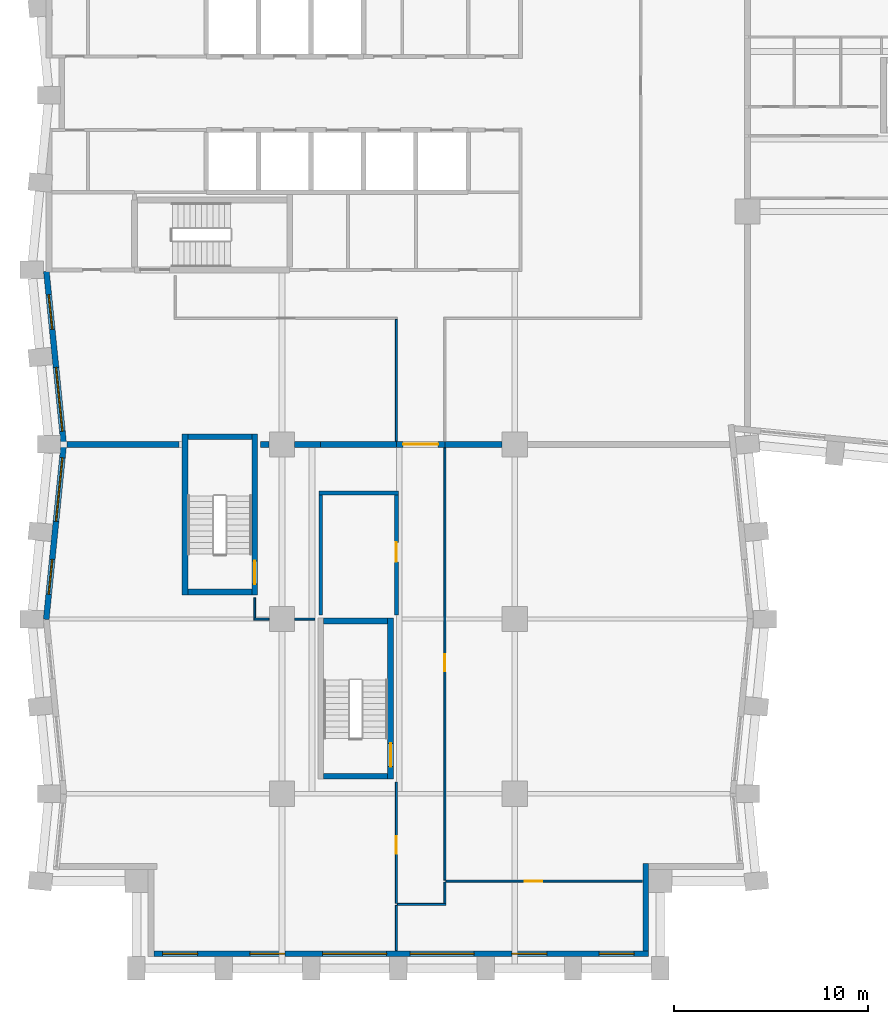
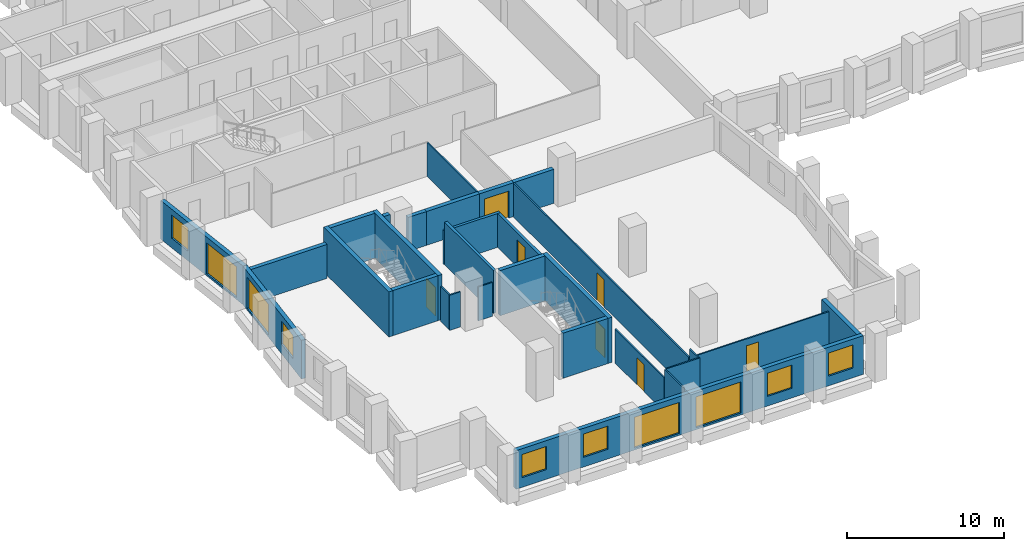
# One storey, part 3 of 11: 30 walls, 10 windows, 7 doors, 17 openings.
"""IFC4 building model written with IfcOpenShell, lengths in metres."""

from ifc_helpers import new_model, si_unit, direction, frame, frame_2d, origin, place, context, subcontext, project, spatial, rectangle, extrude, material, layer, layer_set, type_object, element, fill, save


model = new_model("IFC4")

# Units and contexts
model_context = context("Model", 3, precision=1e-05, world=origin(), true_north=direction((0.0, 1.0)))
body_context = subcontext(model_context, "Body", "Model", "MODEL_VIEW")
ifc_project = project(units=[si_unit("LENGTHUNIT", "METRE"), si_unit("AREAUNIT", "SQUARE_METRE"), si_unit("VOLUMEUNIT", "CUBIC_METRE"), si_unit("PLANEANGLEUNIT", "RADIAN"), si_unit("MASSUNIT", "GRAM", prefix="KILO")], contexts=[model_context])

# Site, building, storey
site_placement = place(None, origin())
site = spatial("IfcSite", under=ifc_project, at=site_placement, CompositionType="ELEMENT")
building_placement = place(site_placement, origin())
building = spatial("IfcBuilding", under=site, at=building_placement, Name="Brondeck Convention Tower", CompositionType="ELEMENT")
storey_placement = place(building_placement, frame((0.0, 0.0, 134.10009765625)))
storey = spatial("IfcBuildingStorey", under=building, at=storey_placement, Name="L32", CompositionType="ELEMENT", Elevation=134.10009765625)

# Walls
ifc_material_1 = material(Name="Concrete compartment wall C30/37", Category="concrete")
ifc_layer_1 = layer(ifc_material_1, 0.300048828125)
ifc_layer_set_1 = layer_set([ifc_layer_1], Name="Compartment wall 300")
wall_type_1 = type_object("IfcWallType", Name="Compartment wall 300", PredefinedType="PARTITIONING", material=ifc_layer_set_1)
wall_1_placement = place(storey_placement, frame((0.924560546875, 27.0, 0.0), z_axis=(0.0, 0.0, 1.0), x_axis=(1.0, 0.0, 0.0)))
element("IfcWall", 1, at=wall_1_placement, inside=storey, type_object=wall_type_1, Name="FLR-L32-W013", PredefinedType="PARTITIONING", context=body_context, shape_type="SweptSolid", body=[
    extrude(rectangle(XDim=5.775390625, YDim=0.300048828125, at=frame_2d((2.8876953125, 0.0))), origin(), (0.0, 0.0, 1.0), 2.6298828125),
])
wall_2_placement = place(storey_placement, frame((10.89990234375, 27.0, 0.0), z_axis=(0.0, 0.0, 1.0), x_axis=(1.0, 0.0, 0.0)))
element("IfcWall", 2, at=wall_2_placement, inside=storey, type_object=wall_type_1, Name="FLR-L32-W014", PredefinedType="PARTITIONING", context=body_context, shape_type="SweptSolid", body=[
    extrude(rectangle(XDim=0.445068359375, YDim=0.300048828125, at=frame_2d((0.22265625, 0.0))), origin(), (0.0, 0.0, 1.0), 3.329833984375),
])
wall_3_placement = place(storey_placement, frame((12.655029296875, 27.0, 0.0), z_axis=(0.0, 0.0, 1.0), x_axis=(1.0, 0.0, 0.0)))
element("IfcWall", 3, at=wall_3_placement, inside=storey, type_object=wall_type_1, Name="FLR-L32-W015", PredefinedType="PARTITIONING", context=body_context, shape_type="SweptSolid", body=[
    extrude(rectangle(XDim=1.344970703125, YDim=0.300048828125, at=frame_2d((0.67236328125, 0.0))), origin(), (0.0, 0.0, 1.0), 2.6298828125),
])
wall_4_placement = place(storey_placement, frame((14.0, 27.0, 0.0), z_axis=(0.0, 0.0, 1.0), x_axis=(1.0, 0.0, 0.0)))
element("IfcWall", 4, at=wall_4_placement, inside=storey, type_object=wall_type_1, Name="FLR-L32-W016", PredefinedType="PARTITIONING", context=body_context, shape_type="SweptSolid", body=[
    extrude(rectangle(XDim=3.89990234375, YDim=0.300048828125, at=frame_2d((1.949951171875, 0.0))), origin(), (0.0, 0.0, 1.0), 2.6298828125),
])

# Wall, opening, door
wall_5_placement = place(storey_placement, frame((20.39990234375, 27.0, 0.0), z_axis=(0.0, 0.0, 1.0), x_axis=(-1.0, 0.0, 0.0)))
wall_5 = element("IfcWall", 5, at=wall_5_placement, inside=storey, type_object=wall_type_1, Name="FLR-L32-W017", PredefinedType="PARTITIONING", context=body_context, shape_type="SweptSolid", body=[
    extrude(rectangle(XDim=2.5, YDim=0.300048828125, at=frame_2d((1.25, 0.0))), origin(), (0.0, 0.0, 1.0), 2.6298828125),
])
opening_1_placement = place(wall_5_placement, frame((0.35009765625, 0.0, 0.0)))
opening_1 = element("IfcOpeningElement", 6, at=opening_1_placement, cuts=wall_5, Name="Opening OF-E-018", PredefinedType="OPENING", context=body_context, shape_type="SweptSolid", body=[
    extrude(rectangle(XDim=1.800048828125, YDim=2.10009765625, at=frame_2d((0.89990234375, 1.050048828125))), frame((0.0, 0.159912109375, 0.0), z_axis=(0.0, -1.0, 0.0), x_axis=(1.0, 0.0, 0.0)), (0.0, 0.0, 1.0), 0.320068359375),
])
ifc_material_2 = material(Name="Steel fire door pair", Category="steel")
door_type_1 = type_object("IfcDoorType", Name="Fire door pair 1800", OperationType="DOUBLE_DOOR_SINGLE_SWING", PredefinedType="DOOR", material=ifc_material_2)
door_1_placement = place(opening_1_placement, origin())
door_1 = element("IfcDoor", 7, at=door_1_placement, inside=storey, type_object=door_type_1, Name="Door OF-E-018", OperationType="DOUBLE_DOOR_SINGLE_SWING", OverallHeight=2.10009765625, OverallWidth=1.800048828125, PredefinedType="DOOR", context=body_context, shape_type="SweptSolid", body=[
    extrude(rectangle(XDim=1.800048828125, YDim=2.10009765625, at=frame_2d((0.89990234375, 1.050048828125))), frame((0.0, 0.02490234375, 0.0), z_axis=(0.0, -1.0, 0.0), x_axis=(1.0, 0.0, 0.0)), (0.0, 0.0, 1.0), 0.050048828125),
])
fill(opening_1, door_1)

# Wall
wall_6_placement = place(storey_placement, frame((20.39990234375, 27.0, 0.0), z_axis=(0.0, 0.0, 1.0), x_axis=(1.0, 0.0, 0.0)))
element("IfcWall", 8, at=wall_6_placement, inside=storey, type_object=wall_type_1, Name="FLR-L32-W018", PredefinedType="PARTITIONING", context=body_context, shape_type="SweptSolid", body=[
    extrude(rectangle(XDim=2.945068359375, YDim=0.300048828125, at=frame_2d((1.47265625, 0.0))), origin(), (0.0, 0.0, 1.0), 2.6298828125),
])

# Wall, openings, windows
ifc_material_3 = material(Name="Precast concrete C50/60 bronze finish", Category="concrete")
ifc_layer_2 = layer(ifc_material_3, 0.070068359375, Name="Bronze precast facing")
ifc_material_4 = material(Name="Mineral wool")
ifc_layer_3 = layer(ifc_material_4, 0.159912109375, Name="Insulation")
ifc_material_5 = material(Name="Concrete C35/45", Category="concrete")
ifc_layer_4 = layer(ifc_material_5, 0.070068359375, Name="Backing")
ifc_layer_set_2 = layer_set([ifc_layer_2, ifc_layer_3, ifc_layer_4], Name="External infill wall, precast concrete C50/60 bronze facing")
wall_type_2 = type_object("IfcWallType", Name="External infill wall, precast concrete C50/60 bronze facing", PredefinedType="SOLIDWALL", material=ifc_layer_set_2)
wall_7_placement = place(storey_placement, frame((30.89990234375, 0.75, 0.0), z_axis=(0.0, 0.0, 1.0), x_axis=(-1.0, 0.0, 0.0)))
wall_7 = element("IfcWall", 9, at=wall_7_placement, inside=storey, type_object=wall_type_2, Name="ENV-EW-L32-P0-B-S0-01", PredefinedType="SOLIDWALL", context=body_context, shape_type="SweptSolid", body=[
    extrude(rectangle(XDim=25.5, YDim=0.300048828125, at=frame_2d((12.75, 0.0))), origin(), (0.0, 0.0, 1.0), 3.0),
])
opening_2_placement = place(wall_7_placement, frame((0.75, 0.0, 0.75)))
opening_2 = element("IfcOpeningElement", 10, at=opening_2_placement, cuts=wall_7, Name="Opening W10", PredefinedType="OPENING", context=body_context, shape_type="SweptSolid", body=[
    extrude(rectangle(XDim=1.800048828125, YDim=1.800048828125, at=frame_2d((0.89990234375, 0.89990234375))), frame((0.0, 0.159912109375, 0.0), z_axis=(0.0, -1.0, 0.0), x_axis=(1.0, 0.0, 0.0)), (0.0, 0.0, 1.0), 0.320068359375),
])
opening_3_placement = place(wall_7_placement, frame((5.25, 0.0, 0.75)))
opening_3 = element("IfcOpeningElement", 11, at=opening_3_placement, cuts=wall_7, Name="Opening W10", PredefinedType="OPENING", context=body_context, shape_type="SweptSolid", body=[
    extrude(rectangle(XDim=1.800048828125, YDim=1.800048828125, at=frame_2d((0.89990234375, 0.89990234375))), frame((0.0, 0.159912109375, 0.0), z_axis=(0.0, -1.0, 0.0), x_axis=(1.0, 0.0, 0.0)), (0.0, 0.0, 1.0), 0.320068359375),
])
opening_4_placement = place(wall_7_placement, frame((9.0, 0.0, 0.14990234375)))
opening_4 = element("IfcOpeningElement", 12, at=opening_4_placement, cuts=wall_7, Name="Opening W9", PredefinedType="OPENING", context=body_context, shape_type="SweptSolid", body=[
    extrude(rectangle(XDim=3.300048828125, YDim=2.39990234375, at=frame_2d((1.64990234375, 1.199951171875))), frame((0.0, 0.159912109375, 0.0), z_axis=(0.0, -1.0, 0.0), x_axis=(1.0, 0.0, 0.0)), (0.0, 0.0, 1.0), 0.320068359375),
])
opening_5_placement = place(wall_7_placement, frame((13.5, 0.0, 0.14990234375)))
opening_5 = element("IfcOpeningElement", 13, at=opening_5_placement, cuts=wall_7, Name="Opening W9", PredefinedType="OPENING", context=body_context, shape_type="SweptSolid", body=[
    extrude(rectangle(XDim=3.300048828125, YDim=2.39990234375, at=frame_2d((1.64990234375, 1.199951171875))), frame((0.0, 0.159912109375, 0.0), z_axis=(0.0, -1.0, 0.0), x_axis=(1.0, 0.0, 0.0)), (0.0, 0.0, 1.0), 0.320068359375),
])
opening_6_placement = place(wall_7_placement, frame((18.75, 0.0, 0.75)))
opening_6 = element("IfcOpeningElement", 14, at=opening_6_placement, cuts=wall_7, Name="Opening W10", PredefinedType="OPENING", context=body_context, shape_type="SweptSolid", body=[
    extrude(rectangle(XDim=1.800048828125, YDim=1.800048828125, at=frame_2d((0.89990234375, 0.89990234375))), frame((0.0, 0.159912109375, 0.0), z_axis=(0.0, -1.0, 0.0), x_axis=(1.0, 0.0, 0.0)), (0.0, 0.0, 1.0), 0.320068359375),
])
opening_7_placement = place(wall_7_placement, frame((23.25, 0.0, 0.75)))
opening_7 = element("IfcOpeningElement", 15, at=opening_7_placement, cuts=wall_7, Name="Opening W10", PredefinedType="OPENING", context=body_context, shape_type="SweptSolid", body=[
    extrude(rectangle(XDim=1.800048828125, YDim=1.800048828125, at=frame_2d((0.89990234375, 0.89990234375))), frame((0.0, 0.159912109375, 0.0), z_axis=(0.0, -1.0, 0.0), x_axis=(1.0, 0.0, 0.0)), (0.0, 0.0, 1.0), 0.320068359375),
])
ifc_material_6 = material(Name="Bronze tinted double glazing", Category="glass")
window_type_1 = type_object("IfcWindowType", Name="Glazed flute window, bronze tinted", PartitioningType="SINGLE_PANEL", PredefinedType="WINDOW", material=ifc_material_6)
window_1_placement = place(opening_4_placement, origin())
window_1 = element("IfcWindow", 16, at=window_1_placement, inside=storey, type_object=window_type_1, Name="ENV-WN-L32-P0-B-S0-04", OverallHeight=2.39990234375, OverallWidth=3.300048828125, PartitioningType="SINGLE_PANEL", PredefinedType="WINDOW", context=body_context, shape_type="SweptSolid", body=[
    extrude(rectangle(XDim=3.300048828125, YDim=2.39990234375, at=frame_2d((1.64990234375, 1.199951171875))), frame((0.0, 0.030029296875, 0.0), z_axis=(0.0, -1.0, 0.0), x_axis=(1.0, 0.0, 0.0)), (0.0, 0.0, 1.0), 0.06005859375),
])
fill(opening_4, window_1)
window_2_placement = place(opening_5_placement, origin())
window_2 = element("IfcWindow", 17, at=window_2_placement, inside=storey, type_object=window_type_1, Name="ENV-WN-L32-P0-B-S0-03", OverallHeight=2.39990234375, OverallWidth=3.300048828125, PartitioningType="SINGLE_PANEL", PredefinedType="WINDOW", context=body_context, shape_type="SweptSolid", body=[
    extrude(rectangle(XDim=3.300048828125, YDim=2.39990234375, at=frame_2d((1.64990234375, 1.199951171875))), frame((0.0, 0.030029296875, 0.0), z_axis=(0.0, -1.0, 0.0), x_axis=(1.0, 0.0, 0.0)), (0.0, 0.0, 1.0), 0.06005859375),
])
fill(opening_5, window_2)
window_type_2 = type_object("IfcWindowType", Name="Punched window, bronze tinted", PartitioningType="SINGLE_PANEL", PredefinedType="WINDOW", material=ifc_material_6)
window_3_placement = place(opening_2_placement, origin())
window_3 = element("IfcWindow", 18, at=window_3_placement, inside=storey, type_object=window_type_2, Name="ENV-WN-L32-P0-B-S0-06", OverallHeight=1.800048828125, OverallWidth=1.800048828125, PartitioningType="SINGLE_PANEL", PredefinedType="WINDOW", context=body_context, shape_type="SweptSolid", body=[
    extrude(rectangle(XDim=1.800048828125, YDim=1.800048828125, at=frame_2d((0.89990234375, 0.89990234375))), frame((0.0, 0.030029296875, 0.0), z_axis=(0.0, -1.0, 0.0), x_axis=(1.0, 0.0, 0.0)), (0.0, 0.0, 1.0), 0.06005859375),
])
fill(opening_2, window_3)
window_4_placement = place(opening_3_placement, origin())
window_4 = element("IfcWindow", 19, at=window_4_placement, inside=storey, type_object=window_type_2, Name="ENV-WN-L32-P0-B-S0-05", OverallHeight=1.800048828125, OverallWidth=1.800048828125, PartitioningType="SINGLE_PANEL", PredefinedType="WINDOW", context=body_context, shape_type="SweptSolid", body=[
    extrude(rectangle(XDim=1.800048828125, YDim=1.800048828125, at=frame_2d((0.89990234375, 0.89990234375))), frame((0.0, 0.030029296875, 0.0), z_axis=(0.0, -1.0, 0.0), x_axis=(1.0, 0.0, 0.0)), (0.0, 0.0, 1.0), 0.06005859375),
])
fill(opening_3, window_4)
window_5_placement = place(opening_6_placement, origin())
window_5 = element("IfcWindow", 20, at=window_5_placement, inside=storey, type_object=window_type_2, Name="ENV-WN-L32-P0-B-S0-02", OverallHeight=1.800048828125, OverallWidth=1.800048828125, PartitioningType="SINGLE_PANEL", PredefinedType="WINDOW", context=body_context, shape_type="SweptSolid", body=[
    extrude(rectangle(XDim=1.800048828125, YDim=1.800048828125, at=frame_2d((0.89990234375, 0.89990234375))), frame((0.0, 0.030029296875, 0.0), z_axis=(0.0, -1.0, 0.0), x_axis=(1.0, 0.0, 0.0)), (0.0, 0.0, 1.0), 0.06005859375),
])
fill(opening_6, window_5)
window_6_placement = place(opening_7_placement, origin())
window_6 = element("IfcWindow", 21, at=window_6_placement, inside=storey, type_object=window_type_2, Name="ENV-WN-L32-P0-B-S0-01", OverallHeight=1.800048828125, OverallWidth=1.800048828125, PartitioningType="SINGLE_PANEL", PredefinedType="WINDOW", context=body_context, shape_type="SweptSolid", body=[
    extrude(rectangle(XDim=1.800048828125, YDim=1.800048828125, at=frame_2d((0.89990234375, 0.89990234375))), frame((0.0, 0.030029296875, 0.0), z_axis=(0.0, -1.0, 0.0), x_axis=(1.0, 0.0, 0.0)), (0.0, 0.0, 1.0), 0.06005859375),
])
fill(opening_7, window_6)

# Wall
wall_8_placement = place(storey_placement, frame((30.75, 5.39990234375, 0.0), z_axis=(0.0, 0.0, 1.0), x_axis=(0.0, -1.0, 0.0)))
element("IfcWall", 22, at=wall_8_placement, inside=storey, type_object=wall_type_2, Name="ENV-EW-L32-P0-NC-SEB0-01", PredefinedType="SOLIDWALL", context=body_context, shape_type="SweptSolid", body=[
    extrude(rectangle(XDim=4.501953125, YDim=0.300048828125, at=frame_2d((2.2509765625, 0.0))), origin(), (0.0, 0.0, 1.0), 3.0),
])

# Wall, openings, windows
wall_9_placement = place(storey_placement, frame((0.755126953125, 26.985107421875, 0.0), z_axis=(0.0, 0.0, 1.0), x_axis=(-0.099479505633, 0.995039611251, 0.0)))
wall_9 = element("IfcWall", 23, at=wall_9_placement, inside=storey, type_object=wall_type_2, Name="ENV-EW-L32-P0-B-W-06", PredefinedType="SOLIDWALL", context=body_context, shape_type="SweptSolid", body=[
    extrude(rectangle(XDim=8.98486328125, YDim=0.300048828125, at=frame_2d((4.492431640625, 0.0))), origin(), (0.0, 0.0, 1.0), 3.0),
])
opening_8_placement = place(wall_9_placement, frame((0.701171875, 0.0, 0.14990234375)))
opening_8 = element("IfcOpeningElement", 24, at=opening_8_placement, cuts=wall_9, Name="Opening W9", PredefinedType="OPENING", context=body_context, shape_type="SweptSolid", body=[
    extrude(rectangle(XDim=3.300048828125, YDim=2.39990234375, at=frame_2d((1.64990234375, 1.199951171875))), frame((0.0, 0.159912109375, 0.0), z_axis=(0.0, -1.0, 0.0), x_axis=(1.0, 0.0, 0.0)), (0.0, 0.0, 1.0), 0.320068359375),
])
opening_9_placement = place(wall_9_placement, frame((5.9736328125, 0.0, 0.75)))
opening_9 = element("IfcOpeningElement", 25, at=opening_9_placement, cuts=wall_9, Name="Opening W10", PredefinedType="OPENING", context=body_context, shape_type="SweptSolid", body=[
    extrude(rectangle(XDim=1.800048828125, YDim=1.800048828125, at=frame_2d((0.89990234375, 0.89990234375))), frame((0.0, 0.159912109375, 0.0), z_axis=(0.0, -1.0, 0.0), x_axis=(1.0, 0.0, 0.0)), (0.0, 0.0, 1.0), 0.320068359375),
])
window_7_placement = place(opening_8_placement, origin())
window_7 = element("IfcWindow", 26, at=window_7_placement, inside=storey, type_object=window_type_1, Name="ENV-WN-L32-P0-B-W-07", OverallHeight=2.39990234375, OverallWidth=3.300048828125, PartitioningType="SINGLE_PANEL", PredefinedType="WINDOW", context=body_context, shape_type="SweptSolid", body=[
    extrude(rectangle(XDim=3.300048828125, YDim=2.39990234375, at=frame_2d((1.64990234375, 1.199951171875))), frame((0.0, 0.030029296875, 0.0), z_axis=(0.0, -1.0, 0.0), x_axis=(1.0, 0.0, 0.0)), (0.0, 0.0, 1.0), 0.06005859375),
])
fill(opening_8, window_7)
window_8_placement = place(opening_9_placement, origin())
window_8 = element("IfcWindow", 27, at=window_8_placement, inside=storey, type_object=window_type_2, Name="ENV-WN-L32-P0-B-W-06", OverallHeight=1.800048828125, OverallWidth=1.800048828125, PartitioningType="SINGLE_PANEL", PredefinedType="WINDOW", context=body_context, shape_type="SweptSolid", body=[
    extrude(rectangle(XDim=1.800048828125, YDim=1.800048828125, at=frame_2d((0.89990234375, 0.89990234375))), frame((0.0, 0.030029296875, 0.0), z_axis=(0.0, -1.0, 0.0), x_axis=(1.0, 0.0, 0.0)), (0.0, 0.0, 1.0), 0.06005859375),
])
fill(opening_9, window_8)

wall_10_placement = place(storey_placement, frame((-0.147705078125, 17.985107421875, 0.0), z_axis=(0.0, 0.0, 1.0), x_axis=(0.099495688264, 0.995037993253, 0.0)))
wall_10 = element("IfcWall", 28, at=wall_10_placement, inside=storey, type_object=wall_type_2, Name="ENV-EW-L32-P0-B-W-08", PredefinedType="SOLIDWALL", context=body_context, shape_type="SweptSolid", body=[
    extrude(rectangle(XDim=9.030029296875, YDim=0.300048828125, at=frame_2d((4.51513671875, 0.0))), origin(), (0.0, 0.0, 1.0), 3.0),
])
opening_10_placement = place(wall_10_placement, frame((1.30126953125, 0.0, 0.75)))
opening_10 = element("IfcOpeningElement", 29, at=opening_10_placement, cuts=wall_10, Name="Opening W10", PredefinedType="OPENING", context=body_context, shape_type="SweptSolid", body=[
    extrude(rectangle(XDim=1.800048828125, YDim=1.800048828125, at=frame_2d((0.89990234375, 0.89990234375))), frame((0.0, 0.159912109375, 0.0), z_axis=(0.0, -1.0, 0.0), x_axis=(1.0, 0.0, 0.0)), (0.0, 0.0, 1.0), 0.320068359375),
])
opening_11_placement = place(wall_10_placement, frame((5.073486328125, 0.0, 0.14990234375)))
opening_11 = element("IfcOpeningElement", 30, at=opening_11_placement, cuts=wall_10, Name="Opening W9", PredefinedType="OPENING", context=body_context, shape_type="SweptSolid", body=[
    extrude(rectangle(XDim=3.300048828125, YDim=2.39990234375, at=frame_2d((1.64990234375, 1.199951171875))), frame((0.0, 0.159912109375, 0.0), z_axis=(0.0, -1.0, 0.0), x_axis=(1.0, 0.0, 0.0)), (0.0, 0.0, 1.0), 0.320068359375),
])
window_9_placement = place(opening_11_placement, origin())
window_9 = element("IfcWindow", 31, at=window_9_placement, inside=storey, type_object=window_type_1, Name="ENV-WN-L32-P0-B-W-08", OverallHeight=2.39990234375, OverallWidth=3.300048828125, PartitioningType="SINGLE_PANEL", PredefinedType="WINDOW", context=body_context, shape_type="SweptSolid", body=[
    extrude(rectangle(XDim=3.300048828125, YDim=2.39990234375, at=frame_2d((1.64990234375, 1.199951171875))), frame((0.0, 0.030029296875, 0.0), z_axis=(0.0, -1.0, 0.0), x_axis=(1.0, 0.0, 0.0)), (0.0, 0.0, 1.0), 0.06005859375),
])
fill(opening_11, window_9)
window_10_placement = place(opening_10_placement, origin())
window_10 = element("IfcWindow", 32, at=window_10_placement, inside=storey, type_object=window_type_2, Name="ENV-WN-L32-P0-B-W-09", OverallHeight=1.800048828125, OverallWidth=1.800048828125, PartitioningType="SINGLE_PANEL", PredefinedType="WINDOW", context=body_context, shape_type="SweptSolid", body=[
    extrude(rectangle(XDim=1.800048828125, YDim=1.800048828125, at=frame_2d((0.89990234375, 0.89990234375))), frame((0.0, 0.030029296875, 0.0), z_axis=(0.0, -1.0, 0.0), x_axis=(1.0, 0.0, 0.0)), (0.0, 0.0, 1.0), 0.06005859375),
])
fill(opening_10, window_10)

# Wall, opening, door
ifc_material_7 = material(Name="Concrete block wall C16/20", Category="concrete")
ifc_layer_5 = layer(ifc_material_7, 0.199951171875)
ifc_layer_set_3 = layer_set([ifc_layer_5], Name="Plant room wall 200")
wall_type_3 = type_object("IfcWallType", Name="Plant room wall 200", PredefinedType="PARTITIONING", material=ifc_layer_set_3)
wall_11_placement = place(storey_placement, frame((17.89990234375, 18.199951171875, 0.0), z_axis=(0.0, 0.0, 1.0), x_axis=(0.0, 1.0, 0.0)))
wall_11 = element("IfcWall", 33, at=wall_11_placement, inside=storey, type_object=wall_type_3, Name="FLR-L32-W009", PredefinedType="PARTITIONING", context=body_context, shape_type="SweptSolid", body=[
    extrude(rectangle(XDim=6.199951171875, YDim=0.199951171875, at=frame_2d((3.10009765625, 0.0))), origin(), (0.0, 0.0, 1.0), 2.6298828125),
])
opening_12_placement = place(wall_11_placement, frame((2.75, 0.0, 0.0)))
opening_12 = element("IfcOpeningElement", 34, at=opening_12_placement, cuts=wall_11, Name="Opening OF-E-001", PredefinedType="OPENING", context=body_context, shape_type="SweptSolid", body=[
    extrude(rectangle(XDim=1.0, YDim=2.10009765625, at=frame_2d((0.5, 1.050048828125))), frame((0.0, 0.10986328125, 0.0), z_axis=(0.0, -1.0, 0.0), x_axis=(1.0, 0.0, 0.0)), (0.0, 0.0, 1.0), 0.219970703125),
])
ifc_material_8 = material(Name="Steel fire door leaf", Category="steel")
door_type_2 = type_object("IfcDoorType", Name="Plant room door 1000", OperationType="NOTDEFINED", PredefinedType="DOOR", material=ifc_material_8)
door_2_placement = place(opening_12_placement, origin())
door_2 = element("IfcDoor", 35, at=door_2_placement, inside=storey, type_object=door_type_2, Name="Door OF-E-001", OperationType="SINGLE_SWING_LEFT", OverallHeight=2.10009765625, OverallWidth=1.0, PredefinedType="DOOR", context=body_context, shape_type="SweptSolid", body=[
    extrude(rectangle(XDim=1.0, YDim=2.10009765625, at=frame_2d((0.5, 1.050048828125))), frame((0.0, 0.02490234375, 0.0), z_axis=(0.0, -1.0, 0.0), x_axis=(1.0, 0.0, 0.0)), (0.0, 0.0, 1.0), 0.050048828125),
])
fill(opening_12, door_2)

# Walls
wall_12_placement = place(storey_placement, frame((14.0, 24.39990234375, 0.0), z_axis=(0.0, 0.0, 1.0), x_axis=(0.0, -1.0, 0.0)))
element("IfcWall", 36, at=wall_12_placement, inside=storey, type_object=wall_type_3, Name="FLR-L32-W010", PredefinedType="PARTITIONING", context=body_context, shape_type="SweptSolid", body=[
    extrude(rectangle(XDim=6.199951171875, YDim=0.199951171875, at=frame_2d((3.10009765625, 0.0))), origin(), (0.0, 0.0, 1.0), 3.329833984375),
])
wall_13_placement = place(storey_placement, frame((18.0, 24.5, 0.0), z_axis=(0.0, 0.0, 1.0), x_axis=(-1.0, 0.0, 0.0)))
element("IfcWall", 37, at=wall_13_placement, inside=storey, type_object=wall_type_3, Name="FLR-L32-W011", PredefinedType="PARTITIONING", context=body_context, shape_type="SweptSolid", body=[
    extrude(rectangle(XDim=4.10009765625, YDim=0.199951171875, at=frame_2d((2.050048828125, 0.0))), origin(), (0.0, 0.0, 1.0), 2.6298828125),
])
ifc_material_9 = material(Name="Gypsum board partition on steel studs", Category="steel")
ifc_layer_6 = layer(ifc_material_9, 0.10009765625)
ifc_layer_set_4 = layer_set([ifc_layer_6], Name="Room partition 100")
wall_type_4 = type_object("IfcWallType", Name="Room partition 100", PredefinedType="PARTITIONING", material=ifc_layer_set_4)
wall_14_placement = place(storey_placement, frame((17.89990234375, 0.919921875, 0.0), z_axis=(0.0, 0.0, 1.0), x_axis=(0.0, 1.0, 0.0)))
element("IfcWall", 38, at=wall_14_placement, inside=storey, type_object=wall_type_4, Name="FLR-L32-W001", PredefinedType="PARTITIONING", context=body_context, shape_type="SweptSolid", body=[
    extrude(rectangle(XDim=2.330078125, YDim=0.10009765625, at=frame_2d((1.1650390625, 0.0))), origin(), (0.0, 0.0, 1.0), 3.329833984375),
])
wall_15_placement = place(storey_placement, frame((20.449951171875, 3.300048828125, 0.0), z_axis=(0.0, 0.0, 1.0), x_axis=(-1.0, 0.0, 0.0)))
element("IfcWall", 39, at=wall_15_placement, inside=storey, type_object=wall_type_4, Name="FLR-L32-W002", PredefinedType="PARTITIONING", context=body_context, shape_type="SweptSolid", body=[
    extrude(rectangle(XDim=2.5, YDim=0.10009765625, at=frame_2d((1.25, 0.0))), origin(), (0.0, 0.0, 1.0), 3.329833984375),
])

# Wall, opening, door
wall_16_placement = place(storey_placement, frame((17.89990234375, 3.35009765625, 0.0), z_axis=(0.0, 0.0, 1.0), x_axis=(0.0, 1.0, 0.0)))
wall_16 = element("IfcWall", 40, at=wall_16_placement, inside=storey, type_object=wall_type_4, Name="FLR-L32-W003", PredefinedType="PARTITIONING", context=body_context, shape_type="SweptSolid", body=[
    extrude(rectangle(XDim=6.25, YDim=0.10009765625, at=frame_2d((3.125, 0.0))), origin(), (0.0, 0.0, 1.0), 2.6298828125),
])
opening_13_placement = place(wall_16_placement, frame((2.550048828125, 0.0, 0.0)))
opening_13 = element("IfcOpeningElement", 41, at=opening_13_placement, cuts=wall_16, Name="Opening OF-E-015", PredefinedType="OPENING", context=body_context, shape_type="SweptSolid", body=[
    extrude(rectangle(XDim=0.89990234375, YDim=2.10009765625, at=frame_2d((0.449951171875, 1.050048828125))), frame((0.0, 0.06005859375, 0.0), z_axis=(0.0, -1.0, 0.0), x_axis=(1.0, 0.0, 0.0)), (0.0, 0.0, 1.0), 0.1201171875),
])
ifc_material_10 = material(Name="Solid timber door leaf", Category="wood")
door_type_3 = type_object("IfcDoorType", Name="Single door 900", OperationType="NOTDEFINED", PredefinedType="DOOR", material=ifc_material_10)
door_3_placement = place(opening_13_placement, origin())
door_3 = element("IfcDoor", 42, at=door_3_placement, inside=storey, type_object=door_type_3, Name="Door OF-E-015", OperationType="SINGLE_SWING_LEFT", OverallHeight=2.10009765625, OverallWidth=0.89990234375, PredefinedType="DOOR", context=body_context, shape_type="SweptSolid", body=[
    extrude(rectangle(XDim=0.89990234375, YDim=2.10009765625, at=frame_2d((0.449951171875, 1.050048828125))), frame((0.0, 0.02490234375, 0.0), z_axis=(0.0, -1.0, 0.0), x_axis=(1.0, 0.0, 0.0)), (0.0, 0.0, 1.0), 0.050048828125),
])
fill(opening_13, door_3)

# Wall
wall_17_placement = place(storey_placement, frame((20.39990234375, 4.449951171875, 0.0), z_axis=(0.0, 0.0, 1.0), x_axis=(0.0, -1.0, 0.0)))
element("IfcWall", 43, at=wall_17_placement, inside=storey, type_object=wall_type_4, Name="FLR-L32-W004", PredefinedType="PARTITIONING", context=body_context, shape_type="SweptSolid", body=[
    extrude(rectangle(XDim=1.099853515625, YDim=0.10009765625, at=frame_2d((0.5498046875, 0.0))), origin(), (0.0, 0.0, 1.0), 3.329833984375),
])

# Wall, opening, door
wall_18_placement = place(storey_placement, frame((30.580078125, 4.5, 0.0), z_axis=(0.0, 0.0, 1.0), x_axis=(-1.0, 0.0, 0.0)))
wall_18 = element("IfcWall", 44, at=wall_18_placement, inside=storey, type_object=wall_type_4, Name="FLR-L32-W005", PredefinedType="PARTITIONING", context=body_context, shape_type="SweptSolid", body=[
    extrude(rectangle(XDim=10.130126953125, YDim=0.10009765625, at=frame_2d((5.06494140625, 0.0))), origin(), (0.0, 0.0, 1.0), 2.6298828125),
])
opening_14_placement = place(wall_18_placement, frame((5.155029296875, 0.0, 0.0)))
opening_14 = element("IfcOpeningElement", 45, at=opening_14_placement, cuts=wall_18, Name="Opening OF-E-014", PredefinedType="OPENING", context=body_context, shape_type="SweptSolid", body=[
    extrude(rectangle(XDim=0.89990234375, YDim=2.10009765625, at=frame_2d((0.449951171875, 1.050048828125))), frame((0.0, 0.06005859375, 0.0), z_axis=(0.0, -1.0, 0.0), x_axis=(1.0, 0.0, 0.0)), (0.0, 0.0, 1.0), 0.1201171875),
])
door_4_placement = place(opening_14_placement, origin())
door_4 = element("IfcDoor", 46, at=door_4_placement, inside=storey, type_object=door_type_3, Name="Door OF-E-014", OperationType="SINGLE_SWING_LEFT", OverallHeight=2.10009765625, OverallWidth=0.89990234375, PredefinedType="DOOR", context=body_context, shape_type="SweptSolid", body=[
    extrude(rectangle(XDim=0.89990234375, YDim=2.10009765625, at=frame_2d((0.449951171875, 1.050048828125))), frame((0.0, 0.02490234375, 0.0), z_axis=(0.0, -1.0, 0.0), x_axis=(1.0, 0.0, 0.0)), (0.0, 0.0, 1.0), 0.050048828125),
])
fill(opening_14, door_4)

# Walls
wall_19_placement = place(storey_placement, frame((11.344970703125, 18.0, 0.0), z_axis=(0.0, 0.0, 1.0), x_axis=(-1.0, 0.0, 0.0)))
element("IfcWall", 47, at=wall_19_placement, inside=storey, type_object=wall_type_4, Name="FLR-L32-W006", PredefinedType="PARTITIONING", context=body_context, shape_type="SweptSolid", body=[
    extrude(rectangle(XDim=0.794921875, YDim=0.10009765625, at=frame_2d((0.3974609375, 0.0))), origin(), (0.0, 0.0, 1.0), 2.72998046875),
])
wall_20_placement = place(storey_placement, frame((13.699951171875, 18.0, 0.0), z_axis=(0.0, 0.0, 1.0), x_axis=(-1.0, 0.0, 0.0)))
element("IfcWall", 48, at=wall_20_placement, inside=storey, type_object=wall_type_4, Name="FLR-L32-W007", PredefinedType="PARTITIONING", context=body_context, shape_type="SweptSolid", body=[
    extrude(rectangle(XDim=1.044921875, YDim=0.10009765625, at=frame_2d((0.5224609375, 0.0))), origin(), (0.0, 0.0, 1.0), 2.6298828125),
])
wall_21_placement = place(storey_placement, frame((10.60009765625, 18.050048828125, 0.0), z_axis=(0.0, 0.0, 1.0), x_axis=(0.0, 1.0, 0.0)))
element("IfcWall", 49, at=wall_21_placement, inside=storey, type_object=wall_type_4, Name="FLR-L32-W008", PredefinedType="PARTITIONING", context=body_context, shape_type="SweptSolid", body=[
    extrude(rectangle(XDim=1.050048828125, YDim=0.10009765625, at=frame_2d((0.52490234375, 0.0))), origin(), (0.0, 0.0, 1.0), 2.72998046875),
])

# Wall, opening, door
wall_22_placement = place(storey_placement, frame((20.39990234375, 26.830078125, 0.0), z_axis=(0.0, 0.0, 1.0), x_axis=(0.0, -1.0, 0.0)))
wall_22 = element("IfcWall", 50, at=wall_22_placement, inside=storey, type_object=wall_type_4, Name="FLR-L32-W012", PredefinedType="PARTITIONING", context=body_context, shape_type="SweptSolid", body=[
    extrude(rectangle(XDim=22.280029296875, YDim=0.10009765625, at=frame_2d((11.14013671875, 0.0))), origin(), (0.0, 0.0, 1.0), 2.6298828125),
])
opening_15_placement = place(wall_22_placement, frame((10.6298828125, 0.0, 0.0)))
opening_15 = element("IfcOpeningElement", 51, at=opening_15_placement, cuts=wall_22, Name="Opening OF-E-013", PredefinedType="OPENING", context=body_context, shape_type="SweptSolid", body=[
    extrude(rectangle(XDim=0.89990234375, YDim=2.10009765625, at=frame_2d((0.449951171875, 1.050048828125))), frame((0.0, 0.06005859375, 0.0), z_axis=(0.0, -1.0, 0.0), x_axis=(1.0, 0.0, 0.0)), (0.0, 0.0, 1.0), 0.1201171875),
])
door_5_placement = place(opening_15_placement, origin())
door_5 = element("IfcDoor", 52, at=door_5_placement, inside=storey, type_object=door_type_3, Name="Door OF-E-013", OperationType="SINGLE_SWING_LEFT", OverallHeight=2.10009765625, OverallWidth=0.89990234375, PredefinedType="DOOR", context=body_context, shape_type="SweptSolid", body=[
    extrude(rectangle(XDim=0.89990234375, YDim=2.10009765625, at=frame_2d((0.449951171875, 1.050048828125))), frame((0.0, 0.02490234375, 0.0), z_axis=(0.0, -1.0, 0.0), x_axis=(1.0, 0.0, 0.0)), (0.0, 0.0, 1.0), 0.050048828125),
])
fill(opening_15, door_5)

# Walls
wall_23_placement = place(storey_placement, frame((17.89990234375, 27.169921875, 0.0), z_axis=(0.0, 0.0, 1.0), x_axis=(0.0, 1.0, 0.0)))
element("IfcWall", 53, at=wall_23_placement, inside=storey, type_object=wall_type_4, Name="FLR-L32-W020", PredefinedType="PARTITIONING", context=body_context, shape_type="SweptSolid", body=[
    extrude(rectangle(XDim=6.280029296875, YDim=0.10009765625, at=frame_2d((3.14013671875, 0.0))), origin(), (0.0, 0.0, 1.0), 2.6298828125),
])
ifc_material_11 = material(Name="Concrete C70/85", Category="concrete")
ifc_layer_7 = layer(ifc_material_11, 0.300048828125)
ifc_layer_set_5 = layer_set([ifc_layer_7], Name="Stair enclosure wall 300 Concrete C70/85")
wall_type_5 = type_object("IfcWallType", Name="Stair enclosure wall 300 Concrete C70/85", PredefinedType="SHEAR", material=ifc_layer_set_5)
for number, where, z_axis, x_axis, name in (
    (54, (14.14990234375, 9.89990234375, 0.0), (0.0, 0.0, 1.0), (1.0, 0.0, 0.0), "L32 core wall"),
    (55, (14.14990234375, 17.89990234375, 0.0), (0.0, 0.0, 1.0), (1.0, 0.0, 0.0), "L32 core wall"),
    (56, (7.14990234375, 19.39990234375, 0.0), (0.0, 0.0, 1.0), (1.0, 0.0, 0.0), "L32 core wall"),
    (57, (7.14990234375, 27.39990234375, 0.0), (0.0, 0.0, 1.0), (1.0, 0.0, 0.0), "L32 core wall"),
):
    element("IfcWall", number, at=place(storey_placement, frame(where, z_axis=z_axis, x_axis=x_axis)), inside=storey, type_object=wall_type_5, Name=name, PredefinedType="SHEAR", context=body_context, shape_type="SweptSolid", body=[
        extrude(rectangle(XDim=3.300048828125, YDim=0.300048828125, at=frame_2d((1.64990234375, 0.0))), origin(), (0.0, 0.0, 1.0), 3.5),
    ])
wall_24_placement = place(storey_placement, frame((7.0, 19.25, 0.0), z_axis=(0.0, 0.0, 1.0), x_axis=(0.0, 1.0, 0.0)))
element("IfcWall", 58, at=wall_24_placement, inside=storey, type_object=wall_type_5, Name="L32 core wall", PredefinedType="SHEAR", context=body_context, shape_type="SweptSolid", body=[
    extrude(rectangle(XDim=8.300048828125, YDim=0.300048828125, at=frame_2d((4.14990234375, 0.0))), origin(), (0.0, 0.0, 1.0), 3.5),
])

# Wall, opening, door
wall_25_placement = place(storey_placement, frame((10.60009765625, 19.25, 0.0), z_axis=(0.0, 0.0, 1.0), x_axis=(0.0, 1.0, 0.0)))
wall_25 = element("IfcWall", 59, at=wall_25_placement, inside=storey, type_object=wall_type_5, Name="L32 core wall", PredefinedType="SHEAR", context=body_context, shape_type="SweptSolid", body=[
    extrude(rectangle(XDim=8.300048828125, YDim=0.300048828125, at=frame_2d((4.14990234375, 0.0))), origin(), (0.0, 0.0, 1.0), 3.5),
])
opening_16_placement = place(wall_25_placement, frame((0.550048828125, 0.0, 0.0)))
opening_16 = element("IfcOpeningElement", 60, at=opening_16_placement, cuts=wall_25, Name="Opening C18-21", PredefinedType="OPENING", context=body_context, shape_type="SweptSolid", body=[
    extrude(rectangle(XDim=1.199951171875, YDim=2.199951171875, at=frame_2d((0.60009765625, 1.10009765625))), frame((0.0, 0.159912109375, 0.0), z_axis=(0.0, -1.0, 0.0), x_axis=(1.0, 0.0, 0.0)), (0.0, 0.0, 1.0), 0.320068359375),
])
ifc_material_12 = material(Name="Steel fire door", Category="steel")
door_type_4 = type_object("IfcDoorType", Name="Stair door 1200x2200 EI 90", OperationType="NOTDEFINED", PredefinedType="DOOR", material=ifc_material_12)
door_6_placement = place(opening_16_placement, origin())
door_6 = element("IfcDoor", 61, at=door_6_placement, inside=storey, type_object=door_type_4, Name="L32 Stair door ST-BE", OperationType="SINGLE_SWING_RIGHT", OverallHeight=2.199951171875, OverallWidth=1.199951171875, PredefinedType="DOOR", context=body_context, shape_type="SweptSolid", body=[
    extrude(rectangle(XDim=1.199951171875, YDim=2.199951171875, at=frame_2d((0.60009765625, 1.10009765625))), frame((0.0, 0.02490234375, 0.0), z_axis=(0.0, -1.0, 0.0), x_axis=(1.0, 0.0, 0.0)), (0.0, 0.0, 1.0), 0.050048828125),
])
fill(opening_16, door_6)

wall_26_placement = place(storey_placement, frame((17.60009765625, 9.75, 0.0), z_axis=(0.0, 0.0, 1.0), x_axis=(0.0, 1.0, 0.0)))
wall_26 = element("IfcWall", 62, at=wall_26_placement, inside=storey, type_object=wall_type_5, Name="L32 core wall", PredefinedType="SHEAR", context=body_context, shape_type="SweptSolid", body=[
    extrude(rectangle(XDim=8.300048828125, YDim=0.300048828125, at=frame_2d((4.14990234375, 0.0))), origin(), (0.0, 0.0, 1.0), 3.5),
])
opening_17_placement = place(wall_26_placement, frame((0.64990234375, 0.0, 0.0)))
opening_17 = element("IfcOpeningElement", 63, at=opening_17_placement, cuts=wall_26, Name="Opening C18-22", PredefinedType="OPENING", context=body_context, shape_type="SweptSolid", body=[
    extrude(rectangle(XDim=1.199951171875, YDim=2.199951171875, at=frame_2d((0.60009765625, 1.10009765625))), frame((0.0, 0.159912109375, 0.0), z_axis=(0.0, -1.0, 0.0), x_axis=(1.0, 0.0, 0.0)), (0.0, 0.0, 1.0), 0.320068359375),
])
door_7_placement = place(opening_17_placement, origin())
door_7 = element("IfcDoor", 64, at=door_7_placement, inside=storey, type_object=door_type_4, Name="L32 Stair door ST-BF", OperationType="SINGLE_SWING_LEFT", OverallHeight=2.199951171875, OverallWidth=1.199951171875, PredefinedType="DOOR", context=body_context, shape_type="SweptSolid", body=[
    extrude(rectangle(XDim=1.199951171875, YDim=2.199951171875, at=frame_2d((0.60009765625, 1.10009765625))), frame((0.0, 0.02490234375, 0.0), z_axis=(0.0, -1.0, 0.0), x_axis=(1.0, 0.0, 0.0)), (0.0, 0.0, 1.0), 0.050048828125),
])
fill(opening_17, door_7)

save(model, "model.ifc")
